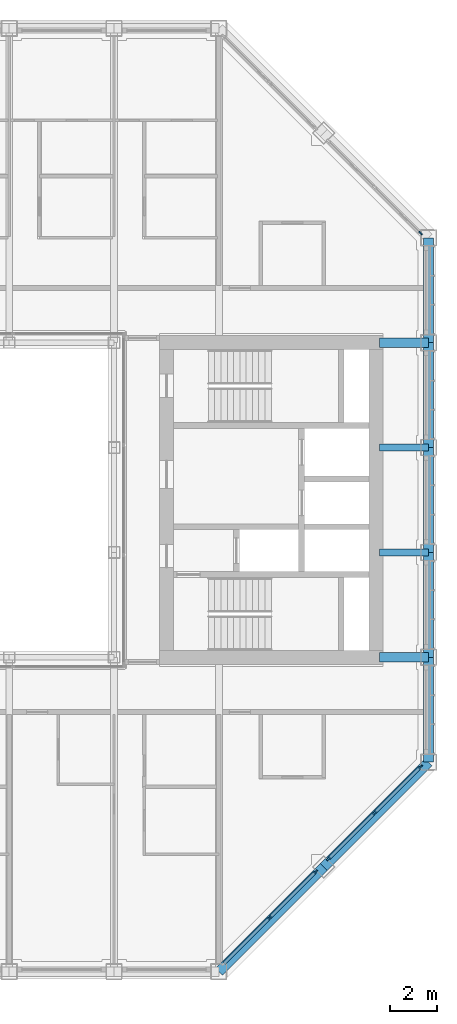
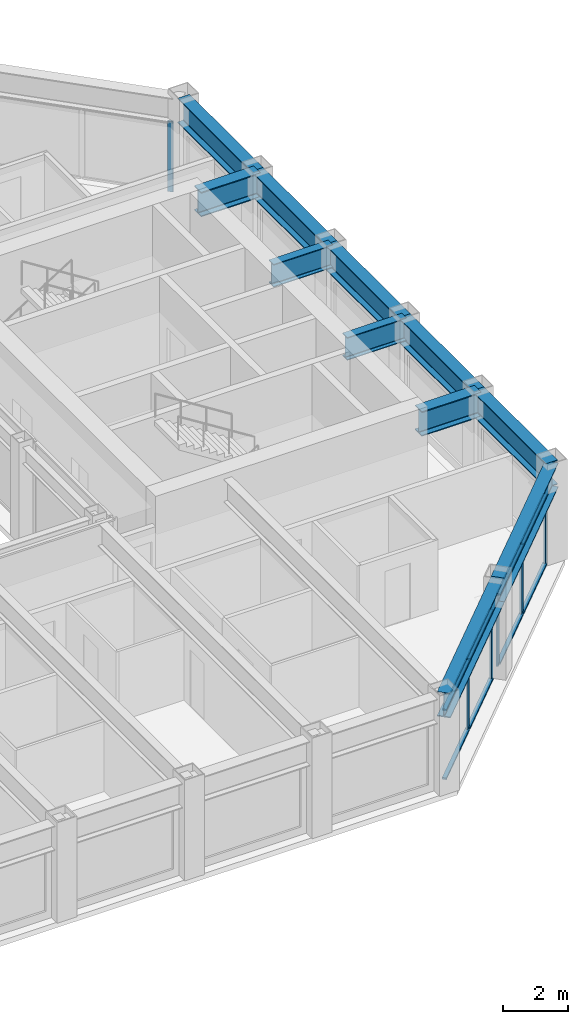
# One storey, part 5 of 18: 14 members, 11 beams, 3 elements without a shape of their own.
"""IFC4 building model written with IfcOpenShell, lengths in metres."""

from ifc_helpers import new_model, si_unit, direction, frame, origin, origin_2d, place, context, subcontext, project, spatial, rectangle, i_section, extrude, material, material_profile, profile_set, type_object, element, aggregate, save


model = new_model("IFC4")

# Units and contexts
model_context = context("Model", 3, precision=1e-05, world=origin(), true_north=direction((0.0, 1.0)))
body_context = subcontext(model_context, "Body", "Model", "MODEL_VIEW")
ifc_project = project(units=[si_unit("LENGTHUNIT", "METRE"), si_unit("AREAUNIT", "SQUARE_METRE"), si_unit("VOLUMEUNIT", "CUBIC_METRE"), si_unit("PLANEANGLEUNIT", "RADIAN"), si_unit("MASSUNIT", "GRAM", prefix="KILO")], contexts=[model_context])

# Site, building, storey
site_placement = place(None, origin())
site = spatial("IfcSite", under=ifc_project, at=site_placement, CompositionType="ELEMENT")
building_placement = place(site_placement, origin())
building = spatial("IfcBuilding", under=site, at=building_placement, Name="Msasa Ring Tower", CompositionType="ELEMENT")
storey_placement = place(building_placement, frame((0.0, 0.0, 249.550048828125)))
storey = spatial("IfcBuildingStorey", under=building, at=storey_placement, Name="L65", CompositionType="ELEMENT", Elevation=249.550048828125)

# Curtain wall, members
ifc_material_1 = material(Name="Aluminium curtain wall with clear glass", Category="aluminium")
curtain_wall_type = type_object("IfcCurtainWallType", Name="CW-C CHAMFER CORNER CURTAIN WALL", PredefinedType="NOTDEFINED", material=ifc_material_1)
curtain_wall_1_placement = place(storey_placement, origin())
curtain_wall_1 = element("IfcCurtainWall", 1, at=curtain_wall_1_placement, inside=storey, type_object=curtain_wall_type, Name="Chamfer corner curtain wall SE L65", PredefinedType="NOTDEFINED")
ifc_material_2 = material(Name="Aluminium mullion", Category="aluminium")
ifc_material_profile_1 = material_profile(ifc_material_2, rectangle(XDim=0.06494140625, YDim=0.179931640625, at=origin_2d()), Name="AL 65x180")
ifc_profile_set_1 = profile_set([ifc_material_profile_1], Name="Aluminium mullion")
member_type_1 = type_object("IfcMemberType", Name="CW-C MULLION 65x180", PredefinedType="MULLION", material=ifc_profile_set_1)
member_1_placement = place(storey_placement, frame((13.42919921875, -17.92919921875, 0.0), z_axis=(0.0, 0.0, 1.0), x_axis=(-0.707106781187, 0.707106781187, 0.0)))
member_1 = element("IfcMember", 2, at=member_1_placement, type_object=member_type_1, Name="CW-C mullion 2", PredefinedType="MULLION", context=body_context, shape_type="SweptSolid", body=[
    extrude(rectangle(XDim=0.06494140625, YDim=0.179931640625, at=origin_2d()), origin(), (0.0, 0.0, 1.0), 2.62890625),
])
member_2_placement = place(storey_placement, frame((15.4052734375, -15.953369140625, 0.0), z_axis=(0.0, 0.0, 1.0), x_axis=(-0.707106781187, 0.707106781187, 0.0)))
member_2 = element("IfcMember", 3, at=member_2_placement, type_object=member_type_1, Name="CW-C mullion 3", PredefinedType="MULLION", context=body_context, shape_type="SweptSolid", body=[
    extrude(rectangle(XDim=0.06494140625, YDim=0.179931640625, at=origin_2d()), origin(), (0.0, 0.0, 1.0), 2.62890625),
])

curtain_wall_2_placement = place(storey_placement, origin())
curtain_wall_2 = element("IfcCurtainWall", 4, at=curtain_wall_2_placement, inside=storey, type_object=curtain_wall_type, Name="Chamfer corner curtain wall SE L65", PredefinedType="NOTDEFINED")
member_3_placement = place(storey_placement, frame((15.953369140625, -15.4052734375, 0.0), z_axis=(0.0, 0.0, 1.0), x_axis=(-0.707106781187, 0.707106781187, 0.0)))
member_3 = element("IfcMember", 5, at=member_3_placement, type_object=member_type_1, Name="CW-C mullion 1", PredefinedType="MULLION", context=body_context, shape_type="SweptSolid", body=[
    extrude(rectangle(XDim=0.06494140625, YDim=0.179931640625, at=origin_2d()), origin(), (0.0, 0.0, 1.0), 2.62890625),
])
member_4_placement = place(storey_placement, frame((17.92919921875, -13.42919921875, 0.0), z_axis=(0.0, 0.0, 1.0), x_axis=(-0.707106781187, 0.707106781187, 0.0)))
member_4 = element("IfcMember", 6, at=member_4_placement, type_object=member_type_1, Name="CW-C mullion 2", PredefinedType="MULLION", context=body_context, shape_type="SweptSolid", body=[
    extrude(rectangle(XDim=0.06494140625, YDim=0.179931640625, at=origin_2d()), origin(), (0.0, 0.0, 1.0), 2.62890625),
])
member_5_placement = place(storey_placement, frame((19.9052734375, -11.453369140625, 0.0), z_axis=(0.0, 0.0, 1.0), x_axis=(-0.707106781187, 0.707106781187, 0.0)))
member_5 = element("IfcMember", 7, at=member_5_placement, type_object=member_type_1, Name="CW-C mullion 3", PredefinedType="MULLION", context=body_context, shape_type="SweptSolid", body=[
    extrude(rectangle(XDim=0.06494140625, YDim=0.179931640625, at=origin_2d()), origin(), (0.0, 0.0, 1.0), 2.62890625),
])

# Curtain wall, member
curtain_wall_3_placement = place(storey_placement, origin())
curtain_wall_3 = element("IfcCurtainWall", 8, at=curtain_wall_3_placement, inside=storey, type_object=curtain_wall_type, Name="Chamfer corner curtain wall NE L65", PredefinedType="NOTDEFINED")
member_6_placement = place(storey_placement, frame((19.9052734375, 11.453369140625, 0.0), z_axis=(0.0, 0.0, 1.0), x_axis=(-0.707106781187, -0.707106781187, 0.0)))
member_6 = element("IfcMember", 9, at=member_6_placement, type_object=member_type_1, Name="CW-C mullion 1", PredefinedType="MULLION", context=body_context, shape_type="SweptSolid", body=[
    extrude(rectangle(XDim=0.06494140625, YDim=0.179931640625, at=origin_2d()), origin(), (0.0, 0.0, 1.0), 2.62890625),
])
aggregate(curtain_wall_3, [member_6])

# Member
ifc_material_3 = material(Name="Aluminium transom", Category="aluminium")
ifc_material_profile_2 = material_profile(ifc_material_3, rectangle(XDim=0.139892578125, YDim=0.06494140625, at=origin_2d()), Name="AL 65x140")
ifc_profile_set_2 = profile_set([ifc_material_profile_2], Name="Aluminium transom")
member_type_2 = type_object("IfcMemberType", Name="CW-C TRANSOM 65x140", PredefinedType="USERDEFINED", material=ifc_profile_set_2)
member_7_placement = place(storey_placement, frame((11.476318359375, -19.88232421875, 0.032470703125), z_axis=(0.707106781187, 0.707106781187, 0.0), x_axis=(-0.707106781187, 0.707106781187, 0.0)))
member_7 = element("IfcMember", 10, at=member_7_placement, type_object=member_type_2, Name="CW-C transom 1.1", ObjectType="TRANSOM", PredefinedType="USERDEFINED", context=body_context, shape_type="SweptSolid", body=[
    extrude(rectangle(XDim=0.139892578125, YDim=0.06494140625, at=origin_2d()), origin(), (0.0, 0.0, 1.0), 2.729248046875),
])

member_8_placement = place(storey_placement, frame((11.476318359375, -19.88232421875, 2.596435546875), z_axis=(0.707106781187, 0.707106781187, 0.0), x_axis=(-0.707106781187, 0.707106781187, 0.0)))
member_8 = element("IfcMember", 11, at=member_8_placement, type_object=member_type_2, Name="CW-C transom 1.2", ObjectType="TRANSOM", PredefinedType="USERDEFINED", context=body_context, shape_type="SweptSolid", body=[
    extrude(rectangle(XDim=0.139892578125, YDim=0.06494140625, at=origin_2d()), origin(), (0.0, 0.0, 1.0), 2.729248046875),
])

member_9_placement = place(storey_placement, frame((13.452392578125, -17.90625, 0.032470703125), z_axis=(0.707106781187, 0.707106781187, 0.0), x_axis=(-0.707106781187, 0.707106781187, 0.0)))
member_9 = element("IfcMember", 12, at=member_9_placement, type_object=member_type_2, Name="CW-C transom 2.1", ObjectType="TRANSOM", PredefinedType="USERDEFINED", context=body_context, shape_type="SweptSolid", body=[
    extrude(rectangle(XDim=0.139892578125, YDim=0.06494140625, at=origin_2d()), origin(), (0.0, 0.0, 1.0), 2.729248046875),
])

member_10_placement = place(storey_placement, frame((13.452392578125, -17.90625, 2.596435546875), z_axis=(0.707106781187, 0.707106781187, 0.0), x_axis=(-0.707106781187, 0.707106781187, 0.0)))
member_10 = element("IfcMember", 13, at=member_10_placement, type_object=member_type_2, Name="CW-C transom 2.2", ObjectType="TRANSOM", PredefinedType="USERDEFINED", context=body_context, shape_type="SweptSolid", body=[
    extrude(rectangle(XDim=0.139892578125, YDim=0.06494140625, at=origin_2d()), origin(), (0.0, 0.0, 1.0), 2.729248046875),
])

aggregate(curtain_wall_1, [member_1, member_2, member_7, member_8, member_9, member_10])

member_11_placement = place(storey_placement, frame((15.976318359375, -15.38232421875, 0.032470703125), z_axis=(0.707106781187, 0.707106781187, 0.0), x_axis=(-0.707106781187, 0.707106781187, 0.0)))
member_11 = element("IfcMember", 14, at=member_11_placement, type_object=member_type_2, Name="CW-C transom 1.1", ObjectType="TRANSOM", PredefinedType="USERDEFINED", context=body_context, shape_type="SweptSolid", body=[
    extrude(rectangle(XDim=0.139892578125, YDim=0.06494140625, at=origin_2d()), origin(), (0.0, 0.0, 1.0), 2.729248046875),
])

member_12_placement = place(storey_placement, frame((15.976318359375, -15.38232421875, 2.596435546875), z_axis=(0.707106781187, 0.707106781187, 0.0), x_axis=(-0.707106781187, 0.707106781187, 0.0)))
member_12 = element("IfcMember", 15, at=member_12_placement, type_object=member_type_2, Name="CW-C transom 1.2", ObjectType="TRANSOM", PredefinedType="USERDEFINED", context=body_context, shape_type="SweptSolid", body=[
    extrude(rectangle(XDim=0.139892578125, YDim=0.06494140625, at=origin_2d()), origin(), (0.0, 0.0, 1.0), 2.729248046875),
])

member_13_placement = place(storey_placement, frame((17.952392578125, -13.40625, 0.032470703125), z_axis=(0.707106781187, 0.707106781187, 0.0), x_axis=(-0.707106781187, 0.707106781187, 0.0)))
member_13 = element("IfcMember", 16, at=member_13_placement, type_object=member_type_2, Name="CW-C transom 2.1", ObjectType="TRANSOM", PredefinedType="USERDEFINED", context=body_context, shape_type="SweptSolid", body=[
    extrude(rectangle(XDim=0.139892578125, YDim=0.06494140625, at=origin_2d()), origin(), (0.0, 0.0, 1.0), 2.729248046875),
])

member_14_placement = place(storey_placement, frame((17.952392578125, -13.40625, 2.596435546875), z_axis=(0.707106781187, 0.707106781187, 0.0), x_axis=(-0.707106781187, 0.707106781187, 0.0)))
member_14 = element("IfcMember", 17, at=member_14_placement, type_object=member_type_2, Name="CW-C transom 2.2", ObjectType="TRANSOM", PredefinedType="USERDEFINED", context=body_context, shape_type="SweptSolid", body=[
    extrude(rectangle(XDim=0.139892578125, YDim=0.06494140625, at=origin_2d()), origin(), (0.0, 0.0, 1.0), 2.729248046875),
])

aggregate(curtain_wall_2, [member_3, member_4, member_5, member_11, member_12, member_13, member_14])

# Beams
ifc_material_4 = material(Name="Steel S355", Category="steel")
ifc_material_profile_3 = material_profile(ifc_material_4, i_section(OverallWidth=0.293701171875, OverallDepth=0.850830078125, WebThickness=0.01611328125, FlangeThickness=0.02685546875, FilletRadius=0.017822265625, at=origin_2d()), Name="UB 838x292x226")
ifc_profile_set_3 = profile_set([ifc_material_profile_3], Name="Steel S355")
beam_type_1 = type_object("IfcBeamType", Name="FB5 UB 838x292x226", PredefinedType="BEAM", material=ifc_profile_set_3)
for number, where, z_axis, x_axis, name in (
    (18, (20.25, -2.25, 3.12451171875), (-1.0, 0.0, 0.0), (0.0, -1.0, 0.0), "Floor beam E -2.25 under L66"),
    (19, (20.25, 2.25, 3.12451171875), (-1.0, 0.0, 0.0), (0.0, -1.0, 0.0), "Floor beam E +2.25 under L66"),
):
    element("IfcBeam", number, at=place(storey_placement, frame(where, z_axis=z_axis, x_axis=x_axis)), inside=storey, type_object=beam_type_1, Name=name, PredefinedType="BEAM", context=body_context, shape_type="SweptSolid", body=[
        extrude(i_section(OverallWidth=0.293701171875, OverallDepth=0.850830078125, WebThickness=0.01611328125, FlangeThickness=0.02685546875, FilletRadius=0.017822265625, at=origin_2d()), origin(), (0.0, 0.0, 1.0), 2.10009765625),
    ])
ifc_material_5 = material(Name="Steel S355", Category="steel")
ifc_material_profile_4 = material_profile(ifc_material_5, i_section(OverallWidth=0.42041015625, OverallDepth=0.9208984375, WebThickness=0.021484375, FlangeThickness=0.03662109375, FilletRadius=0.024169921875, at=origin_2d()), Name="UB 914x419x388")
ifc_profile_set_4 = profile_set([ifc_material_profile_4], Name="Steel S355")
beam_type_2 = type_object("IfcBeamType", Name="GB1 UB 914x419x388", PredefinedType="BEAM", material=ifc_profile_set_4)
for number, where, z_axis, x_axis, name in (
    (20, (18.14990234375, 6.75, 3.08935546875), (1.0, 0.0, 0.0), (0.0, 1.0, 0.0), "Girder E +6.75 under L66"),
    (21, (18.14990234375, -6.75, 3.08935546875), (1.0, 0.0, 0.0), (0.0, 1.0, 0.0), "Girder E -6.75 under L66"),
):
    element("IfcBeam", number, at=place(storey_placement, frame(where, z_axis=z_axis, x_axis=x_axis)), inside=storey, type_object=beam_type_2, Name=name, PredefinedType="BEAM", context=body_context, shape_type="SweptSolid", body=[
        extrude(i_section(OverallWidth=0.42041015625, OverallDepth=0.9208984375, WebThickness=0.021484375, FlangeThickness=0.03662109375, FilletRadius=0.024169921875, at=origin_2d()), origin(), (0.0, 0.0, 1.0), 2.10009765625),
    ])
ifc_material_6 = material(Name="Steel S355", Category="steel")
ifc_material_profile_5 = material_profile(ifc_material_6, i_section(OverallWidth=0.42041015625, OverallDepth=0.9208984375, WebThickness=0.021484375, FlangeThickness=0.03662109375, FilletRadius=0.024169921875, at=origin_2d()), Name="UB 914x419x388")
ifc_profile_set_5 = profile_set([ifc_material_profile_5], Name="Steel S355")
beam_type_3 = type_object("IfcBeamType", Name="SB1 UB 914x419x388", PredefinedType="SPANDREL", material=ifc_profile_set_5)
for number, where, z_axis, x_axis, name in (
    (22, (11.25, -20.25, 3.08935546875), (0.707106781187, 0.707106781187, 0.0), (-0.707106781187, 0.707106781187, 0.0), "Spandrel S+11.25 to SE under L66"),
    (23, (15.75, -15.75, 3.08935546875), (0.707106781187, 0.707106781187, 0.0), (-0.707106781187, 0.707106781187, 0.0), "Spandrel SE to E-11.25 under L66"),
):
    element("IfcBeam", number, at=place(storey_placement, frame(where, z_axis=z_axis, x_axis=x_axis)), inside=storey, type_object=beam_type_3, Name=name, PredefinedType="SPANDREL", context=body_context, shape_type="SweptSolid", body=[
        extrude(i_section(OverallWidth=0.42041015625, OverallDepth=0.9208984375, WebThickness=0.021484375, FlangeThickness=0.03662109375, FilletRadius=0.024169921875, at=origin_2d()), origin(), (0.0, 0.0, 1.0), 6.364013671875),
    ])
for number, where, z_axis, x_axis, name in (
    (24, (20.25, -11.25, 3.08935546875), (0.0, 1.0, 0.0), (-1.0, 0.0, 0.0), "Spandrel E-11.25 to E-6.75 under L66"),
    (25, (20.25, -6.75, 3.08935546875), (0.0, 1.0, 0.0), (-1.0, 0.0, 0.0), "Spandrel E-6.75 to E-2.25 under L66"),
    (26, (20.25, -2.25, 3.08935546875), (0.0, 1.0, 0.0), (-1.0, 0.0, 0.0), "Spandrel E-2.25 to E+2.25 under L66"),
    (27, (20.25, 2.25, 3.08935546875), (0.0, 1.0, 0.0), (-1.0, 0.0, 0.0), "Spandrel E+2.25 to E+6.75 under L66"),
    (28, (20.25, 6.75, 3.08935546875), (0.0, 1.0, 0.0), (-1.0, 0.0, 0.0), "Spandrel E+6.75 to E+11.25 under L66"),
):
    element("IfcBeam", number, at=place(storey_placement, frame(where, z_axis=z_axis, x_axis=x_axis)), inside=storey, type_object=beam_type_3, Name=name, PredefinedType="SPANDREL", context=body_context, shape_type="SweptSolid", body=[
        extrude(i_section(OverallWidth=0.42041015625, OverallDepth=0.9208984375, WebThickness=0.021484375, FlangeThickness=0.03662109375, FilletRadius=0.024169921875, at=origin_2d()), origin(), (0.0, 0.0, 1.0), 4.5),
    ])

save(model, "model.ifc")
